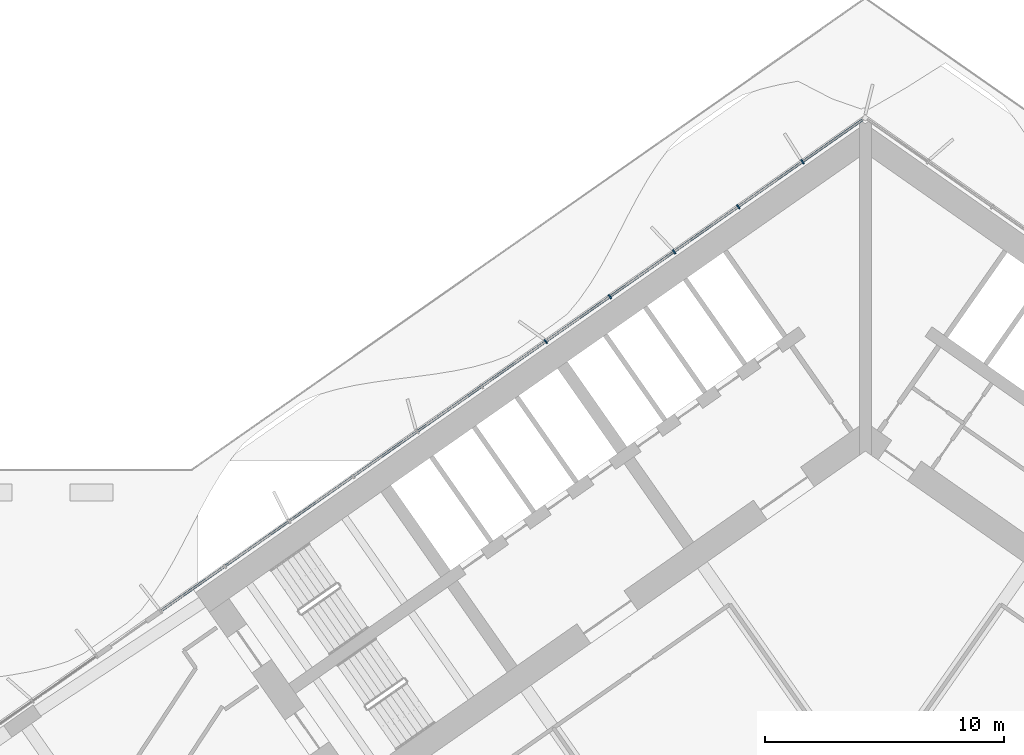
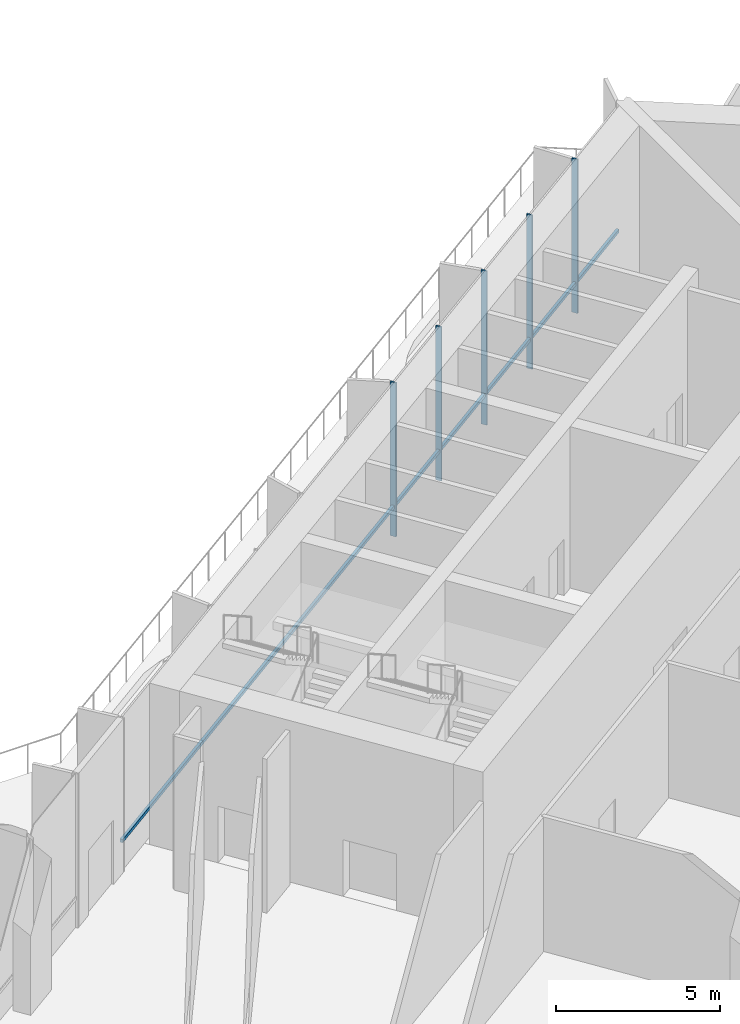
# One storey, part 10 of 27: 6 members, 1 element without a shape of its own.
"""IFC4 building model written with IfcOpenShell, lengths in metres."""

from ifc_helpers import new_model, si_unit, direction, frame, origin, origin_2d, place, context, subcontext, project, spatial, rectangle, extrude, material, material_profile, profile_set, type_object, element, aggregate, save


model = new_model("IFC4")

# Units and contexts
model_context = context("Model", 3, precision=1e-05, world=origin(), true_north=direction((0.0, 1.0)))
body_context = subcontext(model_context, "Body", "Model", "MODEL_VIEW")
ifc_project = project(units=[si_unit("LENGTHUNIT", "METRE"), si_unit("AREAUNIT", "SQUARE_METRE"), si_unit("VOLUMEUNIT", "CUBIC_METRE"), si_unit("PLANEANGLEUNIT", "RADIAN"), si_unit("MASSUNIT", "GRAM", prefix="KILO")], contexts=[model_context])

# Site, building, storey
site_placement = place(None, origin())
site = spatial("IfcSite", under=ifc_project, at=site_placement, CompositionType="ELEMENT")
building_placement = place(site_placement, origin())
building = spatial("IfcBuilding", under=site, at=building_placement, Name="Tel Ilan Convention Tower", CompositionType="ELEMENT")
storey_placement = place(building_placement, frame((0.0, 0.0, 48.5)))
storey = spatial("IfcBuildingStorey", under=building, at=storey_placement, Name="L07", CompositionType="ELEMENT", Elevation=48.5)

# Curtain wall, members
ifc_material_1 = material(Name="Aluminium, bronze anodised", Category="aluminium")
curtain_wall_type = type_object("IfcCurtainWallType", Name="CW2 STICK CURTAIN WALL, SPANDREL PANELS", PredefinedType="NOTDEFINED", material=ifc_material_1)
curtain_wall_placement = place(storey_placement, origin())
curtain_wall = element("IfcCurtainWall", 1, at=curtain_wall_placement, inside=storey, type_object=curtain_wall_type, Name="Curtain wall CW2-10.24", PredefinedType="NOTDEFINED")
ifc_material_2 = material(Name="Aluminium, bronze anodised", Category="aluminium")
ifc_material_profile_1 = material_profile(ifc_material_2, rectangle(XDim=0.06005859375, YDim=0.199951171875, at=origin_2d()), Name="CW MULLION 60x200")
ifc_profile_set_1 = profile_set([ifc_material_profile_1], Name="Aluminium, bronze anodised")
member_type_1 = type_object("IfcMemberType", Name="CW MULLION 60x200", PredefinedType="MULLION", material=ifc_profile_set_1)
member_1_placement = place(storey_placement, frame((-2.622802734375, 10.859375, 0.0), z_axis=(0.0, 0.0, 1.0), x_axis=(-0.819152044289, -0.573576436351, 0.0)))
member_1 = element("IfcMember", 2, at=member_1_placement, type_object=member_type_1, Name="Mullion", PredefinedType="MULLION", context=body_context, shape_type="SweptSolid", body=[
    extrude(rectangle(XDim=0.06005859375, YDim=0.199951171875, at=origin_2d()), origin(), (0.0, 0.0, 1.0), 5.719970703125),
])
member_2_placement = place(storey_placement, frame((-5.30322265625, 8.982666015625, 0.0), z_axis=(0.0, 0.0, 1.0), x_axis=(-0.819152044289, -0.573576436351, 0.0)))
member_2 = element("IfcMember", 3, at=member_2_placement, type_object=member_type_1, Name="Mullion", PredefinedType="MULLION", context=body_context, shape_type="SweptSolid", body=[
    extrude(rectangle(XDim=0.06005859375, YDim=0.199951171875, at=origin_2d()), origin(), (0.0, 0.0, 1.0), 5.719970703125),
])
member_3_placement = place(storey_placement, frame((-7.9833984375, 7.10595703125, 0.0), z_axis=(0.0, 0.0, 1.0), x_axis=(-0.819152044289, -0.573576436351, 0.0)))
member_3 = element("IfcMember", 4, at=member_3_placement, type_object=member_type_1, Name="Mullion", PredefinedType="MULLION", context=body_context, shape_type="SweptSolid", body=[
    extrude(rectangle(XDim=0.06005859375, YDim=0.199951171875, at=origin_2d()), origin(), (0.0, 0.0, 1.0), 5.719970703125),
])
member_4_placement = place(storey_placement, frame((-10.663818359375, 5.229248046875, 0.0), z_axis=(0.0, 0.0, 1.0), x_axis=(-0.819152044289, -0.573576436351, 0.0)))
member_4 = element("IfcMember", 5, at=member_4_placement, type_object=member_type_1, Name="Mullion", PredefinedType="MULLION", context=body_context, shape_type="SweptSolid", body=[
    extrude(rectangle(XDim=0.06005859375, YDim=0.199951171875, at=origin_2d()), origin(), (0.0, 0.0, 1.0), 5.719970703125),
])
member_5_placement = place(storey_placement, frame((-13.343994140625, 3.3525390625, 0.0), z_axis=(0.0, 0.0, 1.0), x_axis=(-0.819152044289, -0.573576436351, 0.0)))
member_5 = element("IfcMember", 6, at=member_5_placement, type_object=member_type_1, Name="Mullion", PredefinedType="MULLION", context=body_context, shape_type="SweptSolid", body=[
    extrude(rectangle(XDim=0.06005859375, YDim=0.199951171875, at=origin_2d()), origin(), (0.0, 0.0, 1.0), 5.719970703125),
])
ifc_material_3 = material(Name="Aluminium, bronze anodised", Category="aluminium")
ifc_material_profile_2 = material_profile(ifc_material_3, rectangle(XDim=0.10009765625, YDim=0.1201171875, at=origin_2d()), Name="CW TRANSOM 100x120")
ifc_profile_set_2 = profile_set([ifc_material_profile_2], Name="Aluminium, bronze anodised")
member_type_2 = type_object("IfcMemberType", Name="CW TRANSOM 100x120", PredefinedType="USERDEFINED", material=ifc_profile_set_2)
member_6_placement = place(storey_placement, frame((-0.1064453125, 12.62158203125, 1.10009765625), z_axis=(-0.81915076999, -0.573578256234, 0.0), x_axis=(0.573578256234, -0.81915076999, 0.0)))
member_6 = element("IfcMember", 7, at=member_6_placement, type_object=member_type_2, Name="Transom", ObjectType="TRANSOM", PredefinedType="USERDEFINED", context=body_context, shape_type="SweptSolid", body=[
    extrude(rectangle(XDim=0.10009765625, YDim=0.1201171875, at=origin_2d()), origin(), (0.0, 0.0, 1.0), 35.76220703125),
])
aggregate(curtain_wall, [member_1, member_2, member_3, member_4, member_5, member_6])

save(model, "model.ifc")
